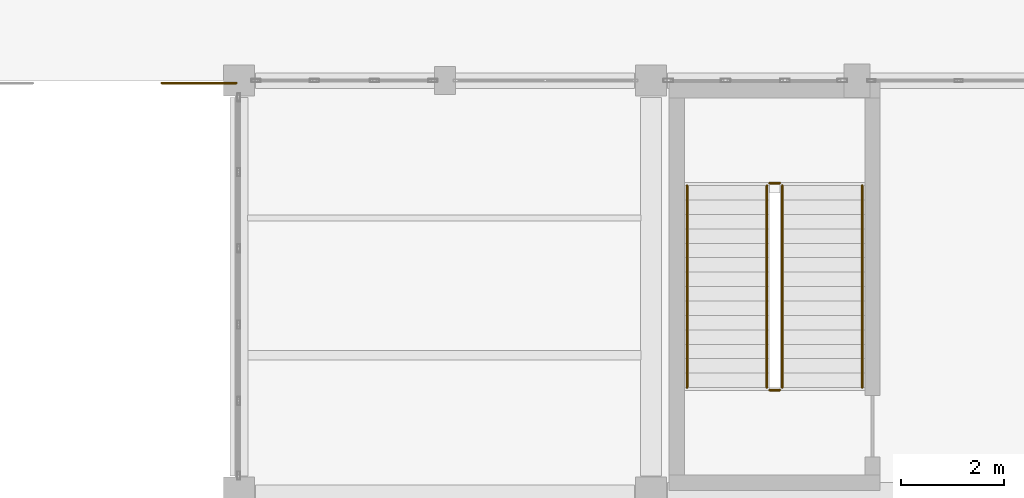
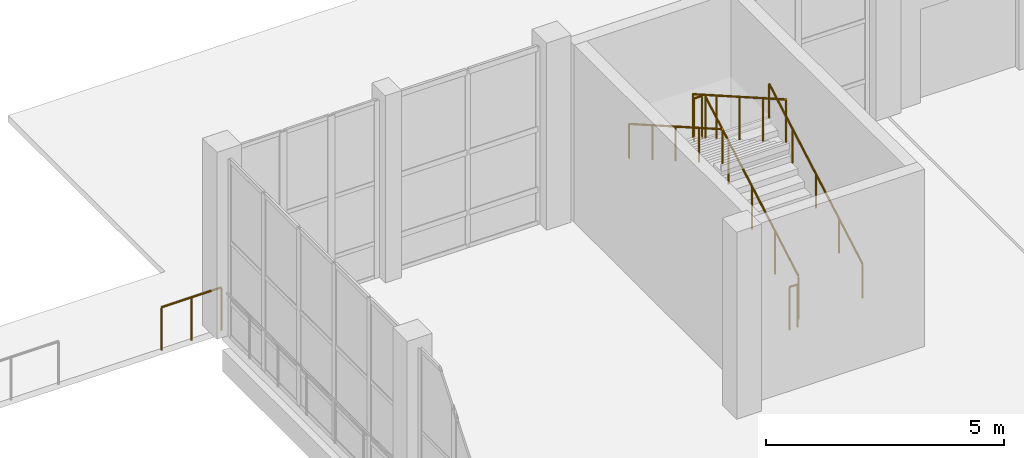
# One storey, part 143 of 156: 7 railings.
"""IFC4 building model written with IfcOpenShell, lengths in metres."""

from ifc_helpers import new_model, si_unit, direction, frame, origin, origin_2d, place, context, subcontext, project, spatial, circle, extrude, material, type_object, element, save


model = new_model("IFC4")

# Units and contexts
model_context = context("Model", 3, precision=1e-05, world=origin(), true_north=direction((0.0, 1.0)))
body_context = subcontext(model_context, "Body", "Model", "MODEL_VIEW")
ifc_project = project(units=[si_unit("LENGTHUNIT", "METRE"), si_unit("AREAUNIT", "SQUARE_METRE"), si_unit("VOLUMEUNIT", "CUBIC_METRE"), si_unit("PLANEANGLEUNIT", "RADIAN"), si_unit("MASSUNIT", "GRAM", prefix="KILO")], contexts=[model_context])

# Site, building, storey
site_placement = place(None, origin())
site = spatial("IfcSite", under=ifc_project, at=site_placement, CompositionType="ELEMENT")
building_placement = place(site_placement, origin())
building = spatial("IfcBuilding", under=site, at=building_placement, Name="Luwemba Playhouse", CompositionType="ELEMENT")
storey_placement = place(building_placement, origin())
storey = spatial("IfcBuildingStorey", under=building, at=storey_placement, Name="L00", CompositionType="ELEMENT", Elevation=0.0)

# Railings
ifc_material_1 = material(Name="Painted wrought-iron balustrade", Category="steel")
railing_type_1 = type_object("IfcRailingType", Name="RLG-BAL-EXT", PredefinedType="BALUSTRADE", material=ifc_material_1)
railing_1_placement = place(storey_placement, frame((114.5, 26.949951171875, 0.0)))
element("IfcRailing", 1, at=railing_1_placement, inside=storey, type_object=railing_type_1, Name="Sunken Metro Forecourt L00 rim balustrade 019", PredefinedType="BALUSTRADE", context=body_context, shape_type="SweptSolid", body=[
    extrude(circle(Radius=0.02392578125, at=origin_2d()), frame((0.0, 0.0, 1.09619140625), z_axis=(1.0, 0.0, 0.0), x_axis=(0.0, 1.0, 0.0)), (0.0, 0.0, 1.0), 1.449951171875),
    extrude(circle(Radius=0.02099609375, at=origin_2d()), origin(), (0.0, 0.0, 1.0), 1.072021484375),
    extrude(circle(Radius=0.02099609375, at=origin_2d()), frame((0.72509765625, 0.0, 0.0)), (0.0, 0.0, 1.0), 1.072021484375),
    extrude(circle(Radius=0.02099609375, at=origin_2d()), frame((1.449951171875, 0.0, 0.0)), (0.0, 0.0, 1.0), 1.072021484375),
])
ifc_material_2 = material(Name="Painted wrought-iron gallery balustrade", Category="steel")
railing_type_2 = type_object("IfcRailingType", Name="RLG-BAL-INT", PredefinedType="BALUSTRADE", material=ifc_material_2)
railing_2_placement = place(storey_placement, frame((126.550048828125, 21.0400390625, 0.159912109375)))
element("IfcRailing", 2, at=railing_2_placement, inside=storey, type_object=railing_type_2, Name="L00 ST-14 stair guard 1", PredefinedType="BALUSTRADE", context=body_context, shape_type="SweptSolid", body=[
    extrude(circle(Radius=0.02392578125, at=origin_2d()), frame((0.0, 0.0, 1.09619140625), z_axis=(0.0, 0.868239814368, 0.496144761885), x_axis=(-1.0, 0.0, 0.0)), (0.0, 0.0, 1.0), 4.514892578125),
    extrude(circle(Radius=0.02099609375, at=origin_2d()), origin(), (0.0, 0.0, 1.0), 1.072021484375),
    extrude(circle(Radius=0.02099609375, at=origin_2d()), frame((0.0, 0.97998046875, 0.56005859375)), (0.0, 0.0, 1.0), 1.072021484375),
    extrude(circle(Radius=0.02099609375, at=origin_2d()), frame((0.0, 1.9599609375, 1.1201171875)), (0.0, 0.0, 1.0), 1.072021484375),
    extrude(circle(Radius=0.02099609375, at=origin_2d()), frame((0.0, 2.93994140625, 1.679931640625)), (0.0, 0.0, 1.0), 1.072021484375),
    extrude(circle(Radius=0.02099609375, at=origin_2d()), frame((0.0, 3.919921875, 2.239990234375)), (0.0, 0.0, 1.0), 1.072021484375),
])
railing_3_placement = place(storey_placement, frame((126.5, 25.010009765625, 2.39990234375)))
element("IfcRailing", 3, at=railing_3_placement, inside=storey, type_object=railing_type_2, Name="L00 ST-14 stair guard 2", PredefinedType="BALUSTRADE", context=body_context, shape_type="SweptSolid", body=[
    extrude(circle(Radius=0.02392578125, at=origin_2d()), frame((0.0, 0.0, 1.09619140625), z_axis=(-1.0, 0.0, 0.0), x_axis=(0.0, -1.0, 0.0)), (0.0, 0.0, 1.0), 0.199951171875),
    extrude(circle(Radius=0.02099609375, at=origin_2d()), origin(), (0.0, 0.0, 1.0), 1.072021484375),
    extrude(circle(Radius=0.02099609375, at=origin_2d()), frame((-0.199951171875, 0.0, 0.0)), (0.0, 0.0, 1.0), 1.072021484375),
])
railing_4_placement = place(storey_placement, frame((126.25, 24.9599609375, 2.56005859375)))
element("IfcRailing", 4, at=railing_4_placement, inside=storey, type_object=railing_type_2, Name="L00 ST-14 stair guard 3", PredefinedType="BALUSTRADE", context=body_context, shape_type="SweptSolid", body=[
    extrude(circle(Radius=0.02392578125, at=origin_2d()), frame((0.0, 0.0, 1.09619140625), z_axis=(0.0, -0.868239814368, 0.496144761885), x_axis=(1.0, 0.0, 0.0)), (0.0, 0.0, 1.0), 4.514892578125),
    extrude(circle(Radius=0.02099609375, at=origin_2d()), origin(), (0.0, 0.0, 1.0), 1.072021484375),
    extrude(circle(Radius=0.02099609375, at=origin_2d()), frame((0.0, -0.97998046875, 0.56005859375)), (0.0, 0.0, 1.0), 1.072021484375),
    extrude(circle(Radius=0.02099609375, at=origin_2d()), frame((0.0, -1.9599609375, 1.1201171875)), (0.0, 0.0, 1.0), 1.072021484375),
    extrude(circle(Radius=0.02099609375, at=origin_2d()), frame((0.0, -2.93994140625, 1.679931640625)), (0.0, 0.0, 1.0), 1.072021484375),
    extrude(circle(Radius=0.02099609375, at=origin_2d()), frame((0.0, -3.919921875, 2.239990234375)), (0.0, 0.0, 1.0), 1.072021484375),
])
railing_5_placement = place(storey_placement, frame((126.5, 20.989990234375, 0.0)))
element("IfcRailing", 5, at=railing_5_placement, inside=storey, type_object=railing_type_2, Name="L00 ST-14 stair guard 4", PredefinedType="BALUSTRADE", context=body_context, shape_type="SweptSolid", body=[
    extrude(circle(Radius=0.02392578125, at=origin_2d()), frame((0.0, 0.0, 1.09619140625), z_axis=(-1.0, 0.0, 0.0), x_axis=(0.0, -1.0, 0.0)), (0.0, 0.0, 1.0), 0.199951171875),
    extrude(circle(Radius=0.02099609375, at=origin_2d()), origin(), (0.0, 0.0, 1.0), 1.072021484375),
    extrude(circle(Radius=0.02099609375, at=origin_2d()), frame((-0.199951171875, 0.0, 0.0)), (0.0, 0.0, 1.0), 1.072021484375),
])
ifc_material_3 = material(Name="Hardwood and bronze handrail", Category="wood")
railing_type_3 = type_object("IfcRailingType", Name="RLG-HR-INT", PredefinedType="HANDRAIL", material=ifc_material_3)
railing_6_placement = place(storey_placement, frame((128.10009765625, 21.0400390625, 0.159912109375)))
element("IfcRailing", 6, at=railing_6_placement, inside=storey, type_object=railing_type_3, Name="L00 ST-14 stair handrail 1", PredefinedType="HANDRAIL", context=body_context, shape_type="SweptSolid", body=[
    extrude(circle(Radius=0.02392578125, at=origin_2d()), frame((0.0, 0.0, 0.8759765625), z_axis=(0.0, 0.868239814368, 0.496144761885), x_axis=(-1.0, 0.0, 0.0)), (0.0, 0.0, 1.0), 4.514892578125),
    extrude(circle(Radius=0.02099609375, at=origin_2d()), origin(), (0.0, 0.0, 1.0), 0.851806640625),
    extrude(circle(Radius=0.02099609375, at=origin_2d()), frame((0.0, 0.97998046875, 0.56005859375)), (0.0, 0.0, 1.0), 0.851806640625),
    extrude(circle(Radius=0.02099609375, at=origin_2d()), frame((0.0, 1.9599609375, 1.1201171875)), (0.0, 0.0, 1.0), 0.851806640625),
    extrude(circle(Radius=0.02099609375, at=origin_2d()), frame((0.0, 2.93994140625, 1.679931640625)), (0.0, 0.0, 1.0), 0.851806640625),
    extrude(circle(Radius=0.02099609375, at=origin_2d()), frame((0.0, 3.919921875, 2.239990234375)), (0.0, 0.0, 1.0), 0.851806640625),
])
railing_7_placement = place(storey_placement, frame((124.699951171875, 24.9599609375, 2.56005859375)))
element("IfcRailing", 7, at=railing_7_placement, inside=storey, type_object=railing_type_3, Name="L00 ST-14 stair handrail 2", PredefinedType="HANDRAIL", context=body_context, shape_type="SweptSolid", body=[
    extrude(circle(Radius=0.02392578125, at=origin_2d()), frame((0.0, 0.0, 0.8759765625), z_axis=(0.0, -0.868239814368, 0.496144761885), x_axis=(1.0, 0.0, 0.0)), (0.0, 0.0, 1.0), 4.514892578125),
    extrude(circle(Radius=0.02099609375, at=origin_2d()), origin(), (0.0, 0.0, 1.0), 0.851806640625),
    extrude(circle(Radius=0.02099609375, at=origin_2d()), frame((0.0, -0.97998046875, 0.56005859375)), (0.0, 0.0, 1.0), 0.851806640625),
    extrude(circle(Radius=0.02099609375, at=origin_2d()), frame((0.0, -1.9599609375, 1.1201171875)), (0.0, 0.0, 1.0), 0.851806640625),
    extrude(circle(Radius=0.02099609375, at=origin_2d()), frame((0.0, -2.93994140625, 1.679931640625)), (0.0, 0.0, 1.0), 0.851806640625),
    extrude(circle(Radius=0.02099609375, at=origin_2d()), frame((0.0, -3.919921875, 2.239990234375)), (0.0, 0.0, 1.0), 0.851806640625),
])

save(model, "model.ifc")
